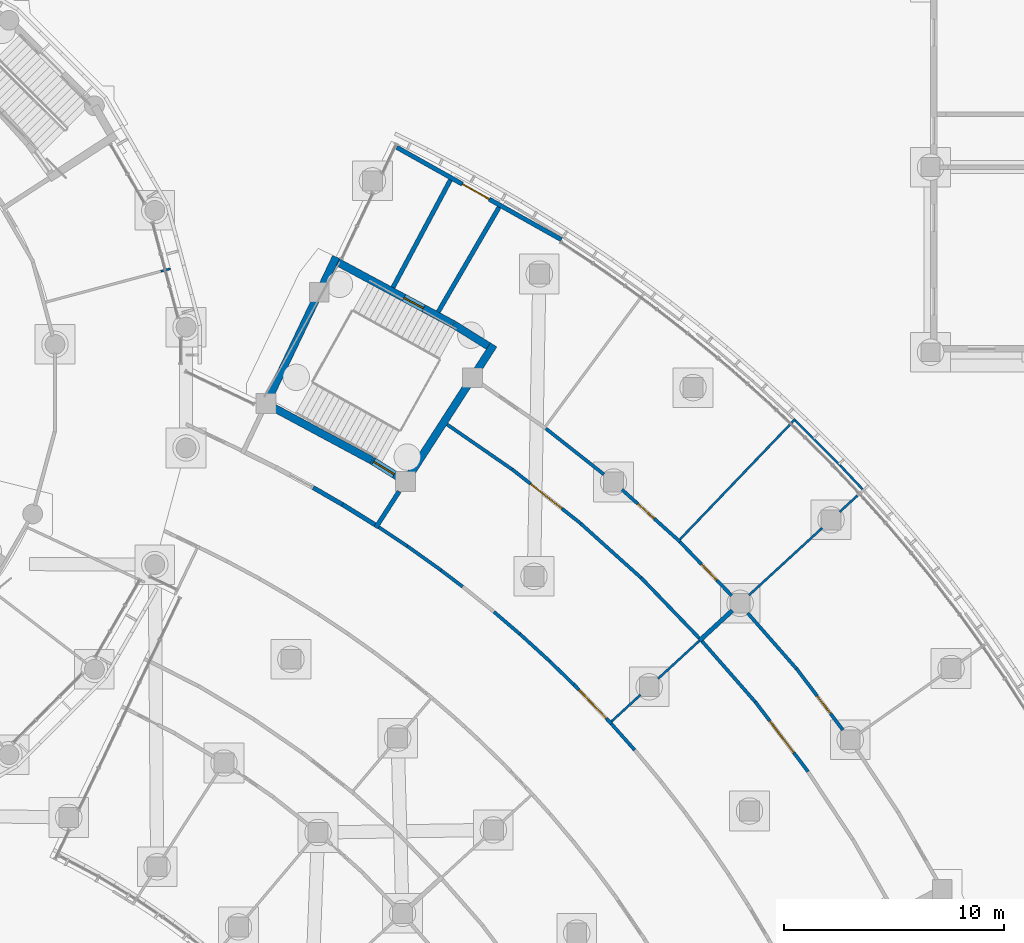
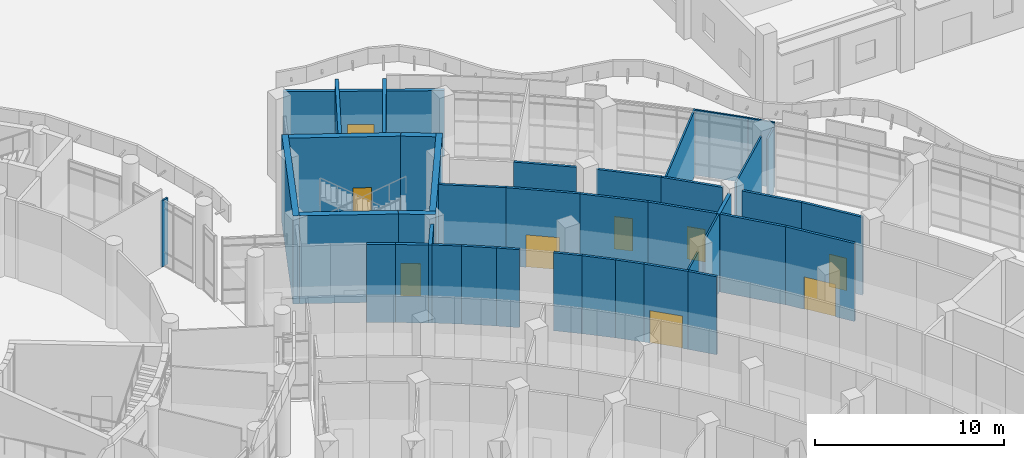
# One storey, part 79 of 146: 40 walls, 9 doors, 9 openings.
"""IFC4 building model written with IfcOpenShell, lengths in metres."""

from ifc_helpers import new_model, si_unit, direction, frame, frame_2d, origin, place, context, subcontext, project, spatial, rectangle, extrude, material, layer, layer_set, type_object, element, fill, save


model = new_model("IFC4")

# Units and contexts
model_context = context("Model", 3, precision=1e-05, world=origin(), true_north=direction((0.0, 1.0)))
body_context = subcontext(model_context, "Body", "Model", "MODEL_VIEW")
ifc_project = project(units=[si_unit("LENGTHUNIT", "METRE"), si_unit("AREAUNIT", "SQUARE_METRE"), si_unit("VOLUMEUNIT", "CUBIC_METRE"), si_unit("PLANEANGLEUNIT", "RADIAN"), si_unit("MASSUNIT", "GRAM", prefix="KILO")], contexts=[model_context])

# Site, building, storey
site_placement = place(None, origin())
site = spatial("IfcSite", under=ifc_project, at=site_placement, CompositionType="ELEMENT")
building_placement = place(site_placement, origin())
building = spatial("IfcBuilding", under=site, at=building_placement, Name="Bougainvillea Quay General Hospital", CompositionType="ELEMENT")
storey_placement = place(building_placement, origin())
storey = spatial("IfcBuildingStorey", under=building, at=storey_placement, Name="L00", CompositionType="ELEMENT", Elevation=0.0)

# Wall, opening, door
ifc_material_1 = material(Name="Insulated aluminium panel cladding, anodised silver", Category="aluminium")
ifc_layer_1 = layer(ifc_material_1, 0.199951171875)
ifc_layer_set_1 = layer_set([ifc_layer_1], Name="Insulated aluminium panel cladding, anodised silver")
wall_type_1 = type_object("IfcWallType", Name="Entrance portal wall 200", PredefinedType="STANDARD", material=ifc_layer_set_1)
wall_1_placement = place(storey_placement, frame((139.5830078125, 84.89599609375, 0.0), z_axis=(0.0, 0.0, 1.0), x_axis=(0.872117504565, -0.489296493172, 0.0)))
wall_1 = element("IfcWall", 1, at=wall_1_placement, inside=storey, type_object=wall_type_1, Name="External wall wall/V6/L00/p2g3b0/00a", PredefinedType="STANDARD", context=body_context, shape_type="SweptSolid", body=[
    extrude(rectangle(XDim=8.55712890625, YDim=0.199951171875, at=frame_2d((4.278564453125, 0.0))), origin(), (0.0, 0.0, 1.0), 4.25),
])
opening_1_placement = place(wall_1_placement, frame((3.407958984375, 0.0, 0.0)))
opening_1 = element("IfcOpeningElement", 2, at=opening_1_placement, cuts=wall_1, Name="Opening L00.349", PredefinedType="OPENING", context=body_context, shape_type="SweptSolid", body=[
    extrude(rectangle(XDim=1.39990234375, YDim=2.10009765625, at=frame_2d((0.699951171875, 1.050048828125))), frame((0.0, 0.10986328125, 0.0), z_axis=(0.0, -1.0, 0.0), x_axis=(1.0, 0.0, 0.0)), (0.0, 0.0, 1.0), 0.219970703125),
])
ifc_material_2 = material(Name="Steel door leaf, painted, with vision panel", Category="steel")
door_type_1 = type_object("IfcDoorType", Name="Stair discharge door 1400x2100", OperationType="SINGLE_SWING_LEFT", PredefinedType="DOOR", material=ifc_material_2)
door_1_placement = place(opening_1_placement, origin())
door_1 = element("IfcDoor", 3, at=door_1_placement, inside=storey, type_object=door_type_1, Name="Stair discharge door ST-E1", OperationType="SINGLE_SWING_LEFT", OverallHeight=2.10009765625, OverallWidth=1.39990234375, PredefinedType="DOOR", context=body_context, shape_type="SweptSolid", body=[
    extrude(rectangle(XDim=1.39990234375, YDim=2.10009765625, at=frame_2d((0.699951171875, 1.050048828125))), frame((0.0, 0.02490234375, 0.0), z_axis=(0.0, -1.0, 0.0), x_axis=(1.0, 0.0, 0.0)), (0.0, 0.0, 1.0), 0.050048828125),
])
fill(opening_1, door_1)

# Walls
ifc_material_3 = material(Name="Gypsum board partition on steel studs", Category="steel")
ifc_layer_2 = layer(ifc_material_3, 0.10009765625)
ifc_layer_set_2 = layer_set([ifc_layer_2], Name="Gypsum board partition on steel studs")
wall_type_2 = type_object("IfcWallType", Name="Partition 100 Gypsum board partition", PredefinedType="PARTITIONING", material=ifc_layer_set_2)
wall_2_placement = place(storey_placement, frame((128.875732421875, 79.272705078125, 0.0), z_axis=(0.0, 0.0, 1.0), x_axis=(0.966018295609, 0.258473697982, 0.0)))
element("IfcWall", 4, at=wall_2_placement, inside=storey, type_object=wall_type_2, Name="Partition 100 mm", PredefinedType="PARTITIONING", context=body_context, shape_type="SweptSolid", body=[
    extrude(rectangle(XDim=0.44970703125, YDim=0.10009765625, at=frame_2d((0.224853515625, 0.0))), origin(), (0.0, 0.0, 1.0), 4.280029296875),
])
wall_3_placement = place(storey_placement, frame((149.322998046875, 58.848388671875, 0.0), z_axis=(0.0, 0.0, 1.0), x_axis=(0.736546569723, 0.676386835051, 0.0)))
element("IfcWall", 5, at=wall_3_placement, inside=storey, type_object=wall_type_2, Name="Partition 100 mm", PredefinedType="PARTITIONING", context=body_context, shape_type="SweptSolid", body=[
    extrude(rectangle(XDim=1.78564453125, YDim=0.10009765625, at=frame_2d((0.892822265625, 0.0))), origin(), (0.0, 0.0, 1.0), 5.050048828125),
])
wall_4_placement = place(storey_placement, frame((151.4306640625, 60.783935546875, 0.0), z_axis=(0.0, 0.0, 1.0), x_axis=(0.736546419356, 0.676386998791, 0.0)))
element("IfcWall", 6, at=wall_4_placement, inside=storey, type_object=wall_type_2, Name="Partition 100 mm", PredefinedType="PARTITIONING", context=body_context, shape_type="SweptSolid", body=[
    extrude(rectangle(XDim=2.552734375, YDim=0.10009765625, at=frame_2d((1.2763671875, 0.0))), origin(), (0.0, 0.0, 1.0), 5.050048828125),
])
ifc_layer_3 = layer(ifc_material_3, 0.10009765625)
ifc_layer_set_3 = layer_set([ifc_layer_3], Name="Gypsum board partition on steel studs")
wall_type_3 = type_object("IfcWallType", Name="Partition 100 Gypsum board partition EI 30", PredefinedType="PARTITIONING", material=ifc_layer_set_3)
wall_5_placement = place(storey_placement, frame((155.55419921875, 64.572021484375, 0.0), z_axis=(0.0, 0.0, 1.0), x_axis=(0.736575972323, 0.676354815904, 0.0)))
element("IfcWall", 7, at=wall_5_placement, inside=storey, type_object=wall_type_3, Name="Partition 100 mm EI 30", PredefinedType="PARTITIONING", context=body_context, shape_type="SweptSolid", body=[
    extrude(rectangle(XDim=4.5244140625, YDim=0.10009765625, at=frame_2d((2.26220703125, 0.0))), origin(), (0.0, 0.0, 1.0), 5.050048828125),
])
wall_6_placement = place(storey_placement, frame((159.679443359375, 68.35986328125, 0.0), z_axis=(0.0, 0.0, 1.0), x_axis=(0.736534485396, 0.676399993955, 0.0)))
element("IfcWall", 8, at=wall_6_placement, inside=storey, type_object=wall_type_3, Name="Partition 100 mm EI 30", PredefinedType="PARTITIONING", context=body_context, shape_type="SweptSolid", body=[
    extrude(rectangle(XDim=1.079833984375, YDim=0.10009765625, at=frame_2d((0.5400390625, 0.0))), origin(), (0.0, 0.0, 1.0), 4.1298828125),
])
wall_7_placement = place(storey_placement, frame((152.42724609375, 67.108642578125, 0.0), z_axis=(0.0, 0.0, 1.0), x_axis=(0.691875925108, 0.722016415503, 0.0)))
element("IfcWall", 9, at=wall_7_placement, inside=storey, type_object=wall_type_3, Name="Partition 100 mm EI 30", PredefinedType="PARTITIONING", context=body_context, shape_type="SweptSolid", body=[
    extrude(rectangle(XDim=7.5654296875, YDim=0.10009765625, at=frame_2d((3.78271484375, 0.0))), origin(), (0.0, 0.0, 1.0), 4.22998046875),
])
wall_8_placement = place(storey_placement, frame((157.6630859375, 72.498779296875, 0.0), z_axis=(0.0, 0.0, 1.0), x_axis=(0.707483938248, -0.70672942285, 0.0)))
element("IfcWall", 10, at=wall_8_placement, inside=storey, type_object=wall_type_3, Name="Partition 100 mm EI 30", PredefinedType="PARTITIONING", context=body_context, shape_type="SweptSolid", body=[
    extrude(rectangle(XDim=2.912109375, YDim=0.10009765625, at=frame_2d((1.4560546875, 0.0))), origin(), (0.0, 0.0, 1.0), 4.22998046875),
])
wall_9_placement = place(storey_placement, frame((159.72119140625, 70.440673828125, 0.0), z_axis=(0.0, 0.0, 1.0), x_axis=(0.68450513179, -0.729008041487, 0.0)))
element("IfcWall", 11, at=wall_9_placement, inside=storey, type_object=wall_type_3, Name="Partition 100 mm EI 30", PredefinedType="PARTITIONING", context=body_context, shape_type="SweptSolid", body=[
    extrude(rectangle(XDim=1.453857421875, YDim=0.10009765625, at=frame_2d((0.72705078125, 0.0))), origin(), (0.0, 0.0, 1.0), 4.22998046875),
])

# Wall, opening, door
ifc_material_4 = material(Name="Gypsum board partition on steel studs, insulated", Category="steel")
ifc_layer_4 = layer(ifc_material_4, 0.14990234375)
ifc_layer_set_4 = layer_set([ifc_layer_4], Name="Gypsum board partition on steel studs, insulated")
wall_type_4 = type_object("IfcWallType", Name="Partition 150 Gypsum board partition EI 30", PredefinedType="PARTITIONING", material=ifc_layer_set_4)
wall_10_placement = place(storey_placement, frame((149.79736328125, 69.36865234375, 0.0), z_axis=(0.0, 0.0, 1.0), x_axis=(0.743767308426, -0.668438621652, 0.0)))
wall_10 = element("IfcWall", 12, at=wall_10_placement, inside=storey, type_object=wall_type_4, Name="Partition 150 mm EI 30", PredefinedType="PARTITIONING", context=body_context, shape_type="SweptSolid", body=[
    extrude(rectangle(XDim=3.5390625, YDim=0.14990234375, at=frame_2d((1.76953125, 0.0))), origin(), (0.0, 0.0, 1.0), 5.050048828125),
])
opening_2_placement = place(wall_10_placement, frame((0.973876953125, 0.0, 0.0)))
opening_2 = element("IfcOpeningElement", 13, at=opening_2_placement, cuts=wall_10, Name="Opening L00.271", PredefinedType="OPENING", context=body_context, shape_type="SweptSolid", body=[
    extrude(rectangle(XDim=1.0, YDim=2.10009765625, at=frame_2d((0.5, 1.050048828125))), frame((0.0, 0.0849609375, 0.0), z_axis=(0.0, -1.0, 0.0), x_axis=(1.0, 0.0, 0.0)), (0.0, 0.0, 1.0), 0.169921875),
])
ifc_material_5 = material(Name="Solid-core timber door leaf in steel frame", Category="steel")
door_type_2 = type_object("IfcDoorType", Name="Single leaf door 1000x2100 FD30S", OperationType="NOTDEFINED", PredefinedType="DOOR", material=ifc_material_5)
door_2_placement = place(opening_2_placement, origin())
door_2 = element("IfcDoor", 14, at=door_2_placement, inside=storey, type_object=door_type_2, Name="DT15 L00.271", OperationType="SINGLE_SWING_LEFT", OverallHeight=2.10009765625, OverallWidth=1.0, PredefinedType="DOOR", context=body_context, shape_type="SweptSolid", body=[
    extrude(rectangle(XDim=1.0, YDim=2.10009765625, at=frame_2d((0.5, 1.050048828125))), frame((0.0, 0.02490234375, 0.0), z_axis=(0.0, -1.0, 0.0), x_axis=(1.0, 0.0, 0.0)), (0.0, 0.0, 1.0), 0.050048828125),
])
fill(opening_2, door_2)

wall_11_placement = place(storey_placement, frame((157.7119140625, 61.251708984375, 0.0), z_axis=(0.0, 0.0, 1.0), x_axis=(0.602876520925, -0.797834506974, 0.0)))
wall_11 = element("IfcWall", 15, at=wall_11_placement, inside=storey, type_object=wall_type_4, Name="Partition 150 mm EI 30", PredefinedType="PARTITIONING", context=body_context, shape_type="SweptSolid", body=[
    extrude(rectangle(XDim=3.498779296875, YDim=0.14990234375, at=frame_2d((1.74951171875, 0.0))), origin(), (0.0, 0.0, 1.0), 5.050048828125),
])
opening_3_placement = place(wall_11_placement, frame((1.5654296875, 0.0, 0.0)))
opening_3 = element("IfcOpeningElement", 16, at=opening_3_placement, cuts=wall_11, Name="Opening L00.273", PredefinedType="OPENING", context=body_context, shape_type="SweptSolid", body=[
    extrude(rectangle(XDim=1.0, YDim=2.10009765625, at=frame_2d((0.5, 1.050048828125))), frame((0.0, 0.0849609375, 0.0), z_axis=(0.0, -1.0, 0.0), x_axis=(1.0, 0.0, 0.0)), (0.0, 0.0, 1.0), 0.169921875),
])
door_3_placement = place(opening_3_placement, origin())
door_3 = element("IfcDoor", 17, at=door_3_placement, inside=storey, type_object=door_type_2, Name="DT15 L00.273", OperationType="SINGLE_SWING_RIGHT", OverallHeight=2.10009765625, OverallWidth=1.0, PredefinedType="DOOR", context=body_context, shape_type="SweptSolid", body=[
    extrude(rectangle(XDim=1.0, YDim=2.10009765625, at=frame_2d((0.5, 1.050048828125))), frame((0.0, 0.02490234375, 0.0), z_axis=(0.0, -1.0, 0.0), x_axis=(1.0, 0.0, 0.0)), (0.0, 0.0, 1.0), 0.050048828125),
])
fill(opening_3, door_3)

# Walls
wall_12_placement = place(storey_placement, frame((146.34423828125, 72.13720703125, 0.0), z_axis=(0.0, 0.0, 1.0), x_axis=(0.784832511111, -0.619707938874, 0.0)))
element("IfcWall", 18, at=wall_12_placement, inside=storey, type_object=wall_type_4, Name="Partition 150 mm EI 30", PredefinedType="PARTITIONING", context=body_context, shape_type="SweptSolid", body=[
    extrude(rectangle(XDim=3.357666015625, YDim=0.14990234375, at=frame_2d((1.6787109375, 0.0))), origin(), (0.0, 0.0, 1.0), 5.050048828125),
])
wall_13_placement = place(storey_placement, frame((155.503662109375, 63.76220703125, 0.0), z_axis=(0.0, 0.0, 1.0), x_axis=(0.659211514152, -0.751957565032, 0.0)))
element("IfcWall", 19, at=wall_13_placement, inside=storey, type_object=wall_type_4, Name="Partition 150 mm EI 30", PredefinedType="PARTITIONING", context=body_context, shape_type="SweptSolid", body=[
    extrude(rectangle(XDim=3.348388671875, YDim=0.14990234375, at=frame_2d((1.67431640625, 0.0))), origin(), (0.0, 0.0, 1.0), 5.050048828125),
])

# Wall, opening, door
wall_14_placement = place(storey_placement, frame((152.42236328125, 67.002685546875, 0.0), z_axis=(0.0, 0.0, 1.0), x_axis=(0.693269716966, -0.720678221912, 0.0)))
wall_14 = element("IfcWall", 20, at=wall_14_placement, inside=storey, type_object=wall_type_4, Name="Partition 150 mm EI 30", PredefinedType="PARTITIONING", context=body_context, shape_type="SweptSolid", body=[
    extrude(rectangle(XDim=3.393798828125, YDim=0.14990234375, at=frame_2d((1.69677734375, 0.0))), origin(), (0.0, 0.0, 1.0), 5.050048828125),
])
opening_4_placement = place(wall_14_placement, frame((1.419921875, 0.0, 0.0)))
opening_4 = element("IfcOpeningElement", 21, at=opening_4_placement, cuts=wall_14, Name="Opening L00.272", PredefinedType="OPENING", context=body_context, shape_type="SweptSolid", body=[
    extrude(rectangle(XDim=1.0, YDim=2.10009765625, at=frame_2d((0.5, 1.050048828125))), frame((0.0, 0.0849609375, 0.0), z_axis=(0.0, -1.0, 0.0), x_axis=(1.0, 0.0, 0.0)), (0.0, 0.0, 1.0), 0.169921875),
])
door_4_placement = place(opening_4_placement, origin())
door_4 = element("IfcDoor", 22, at=door_4_placement, inside=storey, type_object=door_type_2, Name="DT15 L00.272", OperationType="SINGLE_SWING_RIGHT", OverallHeight=2.10009765625, OverallWidth=1.0, PredefinedType="DOOR", context=body_context, shape_type="SweptSolid", body=[
    extrude(rectangle(XDim=1.0, YDim=2.10009765625, at=frame_2d((0.5, 1.050048828125))), frame((0.0, 0.02490234375, 0.0), z_axis=(0.0, -1.0, 0.0), x_axis=(1.0, 0.0, 0.0)), (0.0, 0.0, 1.0), 0.050048828125),
])
fill(opening_4, door_4)

wall_15_placement = place(storey_placement, frame((144.802978515625, 70.297607421875, 0.0), z_axis=(0.0, 0.0, 1.0), x_axis=(0.784917321289, -0.619600515445, 0.0)))
wall_15 = element("IfcWall", 23, at=wall_15_placement, inside=storey, type_object=wall_type_4, Name="Partition 150 mm EI 30", PredefinedType="PARTITIONING", context=body_context, shape_type="SweptSolid", body=[
    extrude(rectangle(XDim=3.978515625, YDim=0.14990234375, at=frame_2d((1.9892578125, 0.0))), origin(), (0.0, 0.0, 1.0), 5.050048828125),
])
opening_5_placement = place(wall_15_placement, frame((1.089111328125, 0.0, 0.0)))
opening_5 = element("IfcOpeningElement", 24, at=opening_5_placement, cuts=wall_15, Name="Opening L00.223", PredefinedType="OPENING", context=body_context, shape_type="SweptSolid", body=[
    extrude(rectangle(XDim=1.800048828125, YDim=2.10009765625, at=frame_2d((0.89990234375, 1.050048828125))), frame((0.0, 0.0849609375, 0.0), z_axis=(0.0, -1.0, 0.0), x_axis=(1.0, 0.0, 0.0)), (0.0, 0.0, 1.0), 0.169921875),
])
ifc_material_6 = material(Name="Solid-core timber door leaves in steel frame", Category="steel")
door_type_3 = type_object("IfcDoorType", Name="Double leaf door 1800x2100", OperationType="DOUBLE_DOOR_SINGLE_SWING", PredefinedType="DOOR", material=ifc_material_6)
door_5_placement = place(opening_5_placement, origin())
door_5 = element("IfcDoor", 25, at=door_5_placement, inside=storey, type_object=door_type_3, Name="DT08 L00.223", OperationType="DOUBLE_DOOR_SINGLE_SWING", OverallHeight=2.10009765625, OverallWidth=1.800048828125, PredefinedType="DOOR", context=body_context, shape_type="SweptSolid", body=[
    extrude(rectangle(XDim=1.800048828125, YDim=2.10009765625, at=frame_2d((0.89990234375, 1.050048828125))), frame((0.0, 0.02490234375, 0.0), z_axis=(0.0, -1.0, 0.0), x_axis=(1.0, 0.0, 0.0)), (0.0, 0.0, 1.0), 0.050048828125),
])
fill(opening_5, door_5)

wall_16_placement = place(storey_placement, frame((155.84375, 59.743896484375, 0.0), z_axis=(0.0, 0.0, 1.0), x_axis=(0.602932061418, -0.797792535258, 0.0)))
wall_16 = element("IfcWall", 26, at=wall_16_placement, inside=storey, type_object=wall_type_4, Name="Partition 150 mm EI 30", PredefinedType="PARTITIONING", context=body_context, shape_type="SweptSolid", body=[
    extrude(rectangle(XDim=3.97802734375, YDim=0.14990234375, at=frame_2d((1.989013671875, 0.0))), origin(), (0.0, 0.0, 1.0), 5.050048828125),
])
opening_6_placement = place(wall_16_placement, frame((1.089111328125, 0.0, 0.0)))
opening_6 = element("IfcOpeningElement", 27, at=opening_6_placement, cuts=wall_16, Name="Opening L00.224", PredefinedType="OPENING", context=body_context, shape_type="SweptSolid", body=[
    extrude(rectangle(XDim=1.800048828125, YDim=2.10009765625, at=frame_2d((0.89990234375, 1.050048828125))), frame((0.0, 0.0849609375, 0.0), z_axis=(0.0, -1.0, 0.0), x_axis=(1.0, 0.0, 0.0)), (0.0, 0.0, 1.0), 0.169921875),
])
door_6_placement = place(opening_6_placement, origin())
door_6 = element("IfcDoor", 28, at=door_6_placement, inside=storey, type_object=door_type_3, Name="DT08 L00.224", OperationType="DOUBLE_DOOR_SINGLE_SWING", OverallHeight=2.10009765625, OverallWidth=1.800048828125, PredefinedType="DOOR", context=body_context, shape_type="SweptSolid", body=[
    extrude(rectangle(XDim=1.800048828125, YDim=2.10009765625, at=frame_2d((0.89990234375, 1.050048828125))), frame((0.0, 0.02490234375, 0.0), z_axis=(0.0, -1.0, 0.0), x_axis=(1.0, 0.0, 0.0)), (0.0, 0.0, 1.0), 0.050048828125),
])
fill(opening_6, door_6)

# Walls
wall_17_placement = place(storey_placement, frame((141.85888671875, 72.326171875, 0.0), z_axis=(0.0, 0.0, 1.0), x_axis=(0.822680463987, -0.568504049391, 0.0)))
element("IfcWall", 29, at=wall_17_placement, inside=storey, type_object=wall_type_4, Name="Partition 150 mm EI 30", PredefinedType="PARTITIONING", context=body_context, shape_type="SweptSolid", body=[
    extrude(rectangle(XDim=3.579833984375, YDim=0.14990234375, at=frame_2d((1.7900390625, 0.0))), origin(), (0.0, 0.0, 1.0), 5.050048828125),
])
wall_18_placement = place(storey_placement, frame((150.660888671875, 65.3740234375, 0.0), z_axis=(0.0, 0.0, 1.0), x_axis=(0.693403633232, -0.720549374728, 0.0)))
element("IfcWall", 30, at=wall_18_placement, inside=storey, type_object=wall_type_4, Name="Partition 150 mm EI 30", PredefinedType="PARTITIONING", context=body_context, shape_type="SweptSolid", body=[
    extrude(rectangle(XDim=3.804443359375, YDim=0.14990234375, at=frame_2d((1.90234375, 0.0))), origin(), (0.0, 0.0, 1.0), 5.050048828125),
])
wall_19_placement = place(storey_placement, frame((147.91943359375, 67.831787109375, 0.0), z_axis=(0.0, 0.0, 1.0), x_axis=(0.743593711798, -0.668631731056, 0.0)))
element("IfcWall", 31, at=wall_19_placement, inside=storey, type_object=wall_type_4, Name="Partition 150 mm EI 30", PredefinedType="PARTITIONING", context=body_context, shape_type="SweptSolid", body=[
    extrude(rectangle(XDim=3.686767578125, YDim=0.14990234375, at=frame_2d((1.84326171875, 0.0))), origin(), (0.0, 0.0, 1.0), 5.050048828125),
])
wall_20_placement = place(storey_placement, frame((153.431884765625, 62.488037109375, 0.0), z_axis=(0.0, 0.0, 1.0), x_axis=(0.659061919253, -0.752088682663, 0.0)))
element("IfcWall", 32, at=wall_20_placement, inside=storey, type_object=wall_type_4, Name="Partition 150 mm EI 30", PredefinedType="PARTITIONING", context=body_context, shape_type="SweptSolid", body=[
    extrude(rectangle(XDim=3.658447265625, YDim=0.14990234375, at=frame_2d((1.8291015625, 0.0))), origin(), (0.0, 0.0, 1.0), 5.050048828125),
])

# Wall, opening, door
wall_21_placement = place(storey_placement, frame((147.614990234375, 60.521240234375, 0.0), z_axis=(0.0, 0.0, 1.0), x_axis=(0.691827849504, -0.722062481127, 0.0)))
wall_21 = element("IfcWall", 33, at=wall_21_placement, inside=storey, type_object=wall_type_4, Name="Partition 150 mm EI 30", PredefinedType="PARTITIONING", context=body_context, shape_type="SweptSolid", body=[
    extrude(rectangle(XDim=2.462890625, YDim=0.14990234375, at=frame_2d((1.2314453125, 0.0))), origin(), (0.0, 0.0, 1.0), 5.050048828125),
])
opening_7_placement = place(wall_21_placement, frame((0.331298828125, 0.0, 0.0)))
opening_7 = element("IfcOpeningElement", 34, at=opening_7_placement, cuts=wall_21, Name="Opening L00.237", PredefinedType="OPENING", context=body_context, shape_type="SweptSolid", body=[
    extrude(rectangle(XDim=1.800048828125, YDim=2.10009765625, at=frame_2d((0.89990234375, 1.050048828125))), frame((0.0, 0.0849609375, 0.0), z_axis=(0.0, -1.0, 0.0), x_axis=(1.0, 0.0, 0.0)), (0.0, 0.0, 1.0), 0.169921875),
])
door_7_placement = place(opening_7_placement, frame((1.800048828125, 0.0, 0.0), z_axis=(0.0, 0.0, 1.0), x_axis=(-1.0, 0.0, 0.0)))
door_7 = element("IfcDoor", 35, at=door_7_placement, inside=storey, type_object=door_type_3, Name="DT08 L00.237", OperationType="DOUBLE_DOOR_SINGLE_SWING", OverallHeight=2.10009765625, OverallWidth=1.800048828125, PredefinedType="DOOR", context=body_context, shape_type="SweptSolid", body=[
    extrude(rectangle(XDim=1.800048828125, YDim=2.10009765625, at=frame_2d((0.89990234375, 1.050048828125))), frame((0.0, 0.02490234375, 0.0), z_axis=(0.0, -1.0, 0.0), x_axis=(1.0, 0.0, 0.0)), (0.0, 0.0, 1.0), 0.050048828125),
])
fill(opening_7, door_7)

# Walls
wall_22_placement = place(storey_placement, frame((140.06103515625, 66.800537109375, 0.0), z_axis=(0.0, 0.0, 1.0), x_axis=(0.81360220793, -0.581421918448, 0.0)))
element("IfcWall", 36, at=wall_22_placement, inside=storey, type_object=wall_type_4, Name="Partition 150 mm EI 30", PredefinedType="PARTITIONING", context=body_context, shape_type="SweptSolid", body=[
    extrude(rectangle(XDim=1.88525390625, YDim=0.14990234375, at=frame_2d((0.942626953125, 0.0))), origin(), (0.0, 0.0, 1.0), 5.050048828125),
])
wall_23_placement = place(storey_placement, frame((149.31494140625, 58.742919921875, 0.0), z_axis=(0.0, 0.0, 1.0), x_axis=(0.664440066627, -0.747341553683, 0.0)))
element("IfcWall", 37, at=wall_23_placement, inside=storey, type_object=wall_type_4, Name="Partition 150 mm EI 30", PredefinedType="PARTITIONING", context=body_context, shape_type="SweptSolid", body=[
    extrude(rectangle(XDim=1.59033203125, YDim=0.14990234375, at=frame_2d((0.795166015625, 0.0))), origin(), (0.0, 0.0, 1.0), 5.050048828125),
])
wall_24_placement = place(storey_placement, frame((138.76416015625, 67.6640625, 0.0), z_axis=(0.0, 0.0, 1.0), x_axis=(0.831520299658, -0.555494366539, 0.0)))
element("IfcWall", 38, at=wall_24_placement, inside=storey, type_object=wall_type_4, Name="Partition 150 mm EI 30", PredefinedType="PARTITIONING", context=body_context, shape_type="SweptSolid", body=[
    extrude(rectangle(XDim=1.560302734375, YDim=0.14990234375, at=frame_2d((0.7802734375, 0.0))), origin(), (0.0, 0.0, 1.0), 5.050048828125),
])
wall_25_placement = place(storey_placement, frame((145.15869140625, 62.822509765625, 0.0), z_axis=(0.0, 0.0, 1.0), x_axis=(0.738981194843, -0.67372605239, 0.0)))
element("IfcWall", 39, at=wall_25_placement, inside=storey, type_object=wall_type_4, Name="Partition 150 mm EI 30", PredefinedType="PARTITIONING", context=body_context, shape_type="SweptSolid", body=[
    extrude(rectangle(XDim=1.833251953125, YDim=0.14990234375, at=frame_2d((0.91650390625, 0.0))), origin(), (0.0, 0.0, 1.0), 5.050048828125),
])
wall_26_placement = place(storey_placement, frame((146.51025390625, 61.58740234375, 0.0), z_axis=(0.0, 0.0, 1.0), x_axis=(0.718287322607, -0.695746593367, 0.0)))
element("IfcWall", 40, at=wall_26_placement, inside=storey, type_object=wall_type_4, Name="Partition 150 mm EI 30", PredefinedType="PARTITIONING", context=body_context, shape_type="SweptSolid", body=[
    extrude(rectangle(XDim=1.5380859375, YDim=0.14990234375, at=frame_2d((0.76904296875, 0.0))), origin(), (0.0, 0.0, 1.0), 5.050048828125),
])
wall_27_placement = place(storey_placement, frame((143.9912109375, 63.818603515625, 0.0), z_axis=(0.0, 0.0, 1.0), x_axis=(0.75971620126, -0.65025479125, 0.0)))
element("IfcWall", 41, at=wall_27_placement, inside=storey, type_object=wall_type_4, Name="Partition 150 mm EI 30", PredefinedType="PARTITIONING", context=body_context, shape_type="SweptSolid", body=[
    extrude(rectangle(XDim=1.53662109375, YDim=0.14990234375, at=frame_2d((0.768310546875, 0.0))), origin(), (0.0, 0.0, 1.0), 5.050048828125),
])
wall_28_placement = place(storey_placement, frame((141.592041015625, 65.703857421875, 0.0), z_axis=(0.0, 0.0, 1.0), x_axis=(0.79670453549, -0.604368995837, 0.0)))
element("IfcWall", 42, at=wall_28_placement, inside=storey, type_object=wall_type_4, Name="Partition 150 mm EI 30", PredefinedType="PARTITIONING", context=body_context, shape_type="SweptSolid", body=[
    extrude(rectangle(XDim=1.222412109375, YDim=0.14990234375, at=frame_2d((0.611328125, 0.0))), origin(), (0.0, 0.0, 1.0), 5.050048828125),
])
ifc_material_7 = material(Name="Fire-rated autoclaved aerated block wall, plastered")
ifc_layer_5 = layer(ifc_material_7, 0.199951171875)
ifc_layer_set_5 = layer_set([ifc_layer_5], Name="Fire-rated autoclaved aerated block wall, plastered")
wall_type_5 = type_object("IfcWallType", Name="Partition 200 Fire-rated autoclaved aerated block wall EI 120", PredefinedType="SOLIDWALL", material=ifc_layer_set_5)
wall_29_placement = place(storey_placement, frame((141.462646484375, 77.43798828125, 0.0), z_axis=(0.0, 0.0, 1.0), x_axis=(0.502946190311, 0.864317724944, 0.0)))
element("IfcWall", 43, at=wall_29_placement, inside=storey, type_object=wall_type_5, Name="Partition 200 mm EI 120", PredefinedType="SOLIDWALL", context=body_context, shape_type="SweptSolid", body=[
    extrude(rectangle(XDim=5.48388671875, YDim=0.199951171875, at=frame_2d((2.741943359375, 0.0))), origin(), (0.0, 0.0, 1.0), 5.050048828125),
])
wall_30_placement = place(storey_placement, frame((138.624755859375, 67.636962890625, 0.0), z_axis=(0.0, 0.0, 1.0), x_axis=(0.541789312023, 0.840514331453, 0.0)))
element("IfcWall", 44, at=wall_30_placement, inside=storey, type_object=wall_type_5, Name="Partition 200 mm EI 120", PredefinedType="SOLIDWALL", context=body_context, shape_type="SweptSolid", body=[
    extrude(rectangle(XDim=1.960693359375, YDim=0.199951171875, at=frame_2d((0.98046875, 0.0))), origin(), (0.0, 0.0, 1.0), 5.050048828125),
])
wall_31_placement = place(storey_placement, frame((153.311767578125, 62.51123046875, 0.0), z_axis=(0.0, 0.0, 1.0), x_axis=(0.736286893473, 0.676669498722, 0.0)))
element("IfcWall", 45, at=wall_31_placement, inside=storey, type_object=wall_type_5, Name="Partition 200 mm EI 120", PredefinedType="SOLIDWALL", context=body_context, shape_type="SweptSolid", body=[
    extrude(rectangle(XDim=2.02294921875, YDim=0.199951171875, at=frame_2d((1.011474609375, 0.0))), origin(), (0.0, 0.0, 1.0), 5.050048828125),
])
wall_32_placement = place(storey_placement, frame((137.1201171875, 68.69091796875, 0.0), z_axis=(0.0, 0.0, 1.0), x_axis=(0.849072037542, -0.528277081714, 0.0)))
element("IfcWall", 46, at=wall_32_placement, inside=storey, type_object=wall_type_5, Name="Partition 200 mm EI 120", PredefinedType="SOLIDWALL", context=body_context, shape_type="SweptSolid", body=[
    extrude(rectangle(XDim=1.734375, YDim=0.199951171875, at=frame_2d((0.8671875, 0.0))), origin(), (0.0, 0.0, 1.0), 5.050048828125),
])
wall_33_placement = place(storey_placement, frame((135.786865234375, 69.45849609375, 0.0), z_axis=(0.0, 0.0, 1.0), x_axis=(0.865559992514, -0.50080525093, 0.0)))
element("IfcWall", 47, at=wall_33_placement, inside=storey, type_object=wall_type_5, Name="Partition 200 mm EI 120", PredefinedType="SOLIDWALL", context=body_context, shape_type="SweptSolid", body=[
    extrude(rectangle(XDim=1.54150390625, YDim=0.199951171875, at=frame_2d((0.770751953125, 0.0))), origin(), (0.0, 0.0, 1.0), 5.050048828125),
])
ifc_layer_6 = layer(ifc_material_7, 0.199951171875)
ifc_layer_set_6 = layer_set([ifc_layer_6], Name="Fire-rated autoclaved aerated block wall, plastered")
wall_type_6 = type_object("IfcWallType", Name="Partition 200 Fire-rated autoclaved aerated block wall EI 30", PredefinedType="SOLIDWALL", material=ifc_layer_set_6)
wall_34_placement = place(storey_placement, frame((139.40673828125, 78.53857421875, 0.0), z_axis=(0.0, 0.0, 1.0), x_axis=(0.471243461958, 0.882003174349, 0.0)))
element("IfcWall", 48, at=wall_34_placement, inside=storey, type_object=wall_type_6, Name="Partition 200 mm EI 30", PredefinedType="SOLIDWALL", context=body_context, shape_type="SweptSolid", body=[
    extrude(rectangle(XDim=5.530029296875, YDim=0.199951171875, at=frame_2d((2.76513671875, 0.0))), origin(), (0.0, 0.0, 1.0), 5.050048828125),
])
ifc_material_8 = material(Name="Concrete C40", Category="concrete")
ifc_layer_7 = layer(ifc_material_8, 0.35009765625)
ifc_layer_set_7 = layer_set([ifc_layer_7], Name="Concrete C40")
wall_type_7 = type_object("IfcWallType", Name="RC SHEAR WALL 350 C40", PredefinedType="SHEAR", material=ifc_layer_set_7)
wall_35_placement = place(storey_placement, frame((133.57763671875, 73.109130859375, -0.300048828125), z_axis=(0.0, 0.0, 1.0), x_axis=(0.430592498036, 0.90254645345, 0.0)))
element("IfcWall", 49, at=wall_35_placement, inside=storey, type_object=wall_type_7, Name="Shear wall L00", PredefinedType="SHEAR", context=body_context, shape_type="SweptSolid", body=[
    extrude(rectangle(XDim=7.549560546875, YDim=0.35009765625, at=frame_2d((3.77490234375, 0.0))), origin(), (0.0, 0.0, 1.0), 5.699951171875),
])
wall_36_placement = place(storey_placement, frame((138.43603515625, 70.69775390625, -0.300048828125), z_axis=(0.0, 0.0, 1.0), x_axis=(-0.880959996263, 0.473190749048, 0.0)))
element("IfcWall", 50, at=wall_36_placement, inside=storey, type_object=wall_type_7, Name="Shear wall L00", PredefinedType="SHEAR", context=body_context, shape_type="SweptSolid", body=[
    extrude(rectangle(XDim=5.25439453125, YDim=0.35009765625, at=frame_2d((2.627197265625, 0.0))), origin(), (0.0, 0.0, 1.0), 5.699951171875),
])

# Wall, opening, door
wall_37_placement = place(storey_placement, frame((138.44580078125, 70.692138671875, -0.300048828125), z_axis=(0.0, 0.0, 1.0), x_axis=(0.849028347245, -0.528347296363, 0.0)))
wall_37 = element("IfcWall", 51, at=wall_37_placement, inside=storey, type_object=wall_type_7, Name="Shear wall L00", PredefinedType="SHEAR", context=body_context, shape_type="SweptSolid", body=[
    extrude(rectangle(XDim=1.98095703125, YDim=0.35009765625, at=frame_2d((0.990478515625, 0.0))), origin(), (0.0, 0.0, 1.0), 5.699951171875),
])
opening_8_placement = place(wall_37_placement, frame((0.10009765625, 0.0, 0.300048828125)))
opening_8 = element("IfcOpeningElement", 52, at=opening_8_placement, cuts=wall_37, Name="Opening L00.304", PredefinedType="OPENING", context=body_context, shape_type="SweptSolid", body=[
    extrude(rectangle(XDim=1.10009765625, YDim=2.10009765625, at=frame_2d((0.550048828125, 1.050048828125))), frame((0.0, 0.18505859375, 0.0), z_axis=(0.0, -1.0, 0.0), x_axis=(1.0, 0.0, 0.0)), (0.0, 0.0, 1.0), 0.3701171875),
])
ifc_material_9 = material(Name="Steel fire door leaf in steel frame", Category="steel")
door_type_4 = type_object("IfcDoorType", Name="Steel single leaf door 1100x2100 FD60", OperationType="NOTDEFINED", PredefinedType="DOOR", material=ifc_material_9)
door_8_placement = place(opening_8_placement, origin())
door_8 = element("IfcDoor", 53, at=door_8_placement, inside=storey, type_object=door_type_4, Name="DT04 L00.304", OperationType="SINGLE_SWING_LEFT", OverallHeight=2.10009765625, OverallWidth=1.10009765625, PredefinedType="DOOR", context=body_context, shape_type="SweptSolid", body=[
    extrude(rectangle(XDim=1.10009765625, YDim=2.10009765625, at=frame_2d((0.550048828125, 1.050048828125))), frame((0.0, 0.02490234375, 0.0), z_axis=(0.0, -1.0, 0.0), x_axis=(1.0, 0.0, 0.0)), (0.0, 0.0, 1.0), 0.050048828125),
])
fill(opening_8, door_8)

# Wall
wall_38_placement = place(storey_placement, frame((140.07373046875, 69.885009765625, -0.300048828125), z_axis=(0.0, 0.0, 1.0), x_axis=(0.541951537975, 0.840409739643, 0.0)))
element("IfcWall", 54, at=wall_38_placement, inside=storey, type_object=wall_type_7, Name="Shear wall L00", PredefinedType="SHEAR", context=body_context, shape_type="SweptSolid", body=[
    extrude(rectangle(XDim=7.2001953125, YDim=0.35009765625, at=frame_2d((3.60009765625, 0.0))), origin(), (0.0, 0.0, 1.0), 5.699951171875),
])

# Wall, opening, door
wall_39_placement = place(storey_placement, frame((142.14208984375, 76.87060546875, -0.300048828125), z_axis=(0.0, 0.0, 1.0), x_axis=(-0.880979840223, 0.473153802817, 0.0)))
wall_39 = element("IfcWall", 55, at=wall_39_placement, inside=storey, type_object=wall_type_7, Name="Shear wall L00", PredefinedType="SHEAR", context=body_context, shape_type="SweptSolid", body=[
    extrude(rectangle(XDim=5.942138671875, YDim=0.35009765625, at=frame_2d((2.97119140625, 0.0))), origin(), (0.0, 0.0, 1.0), 5.699951171875),
])
opening_9_placement = place(wall_39_placement, frame((1.53466796875, 0.0, 0.300048828125)))
opening_9 = element("IfcOpeningElement", 56, at=opening_9_placement, cuts=wall_39, Name="Opening L00.245", PredefinedType="OPENING", context=body_context, shape_type="SweptSolid", body=[
    extrude(rectangle(XDim=1.0, YDim=2.10009765625, at=frame_2d((0.5, 1.050048828125))), frame((0.0, 0.18505859375, 0.0), z_axis=(0.0, -1.0, 0.0), x_axis=(1.0, 0.0, 0.0)), (0.0, 0.0, 1.0), 0.3701171875),
])
door_type_5 = type_object("IfcDoorType", Name="Steel single leaf door 1000x2100 FD60", OperationType="NOTDEFINED", PredefinedType="DOOR", material=ifc_material_9)
door_9_placement = place(opening_9_placement, frame((1.0, 0.0, 0.0), z_axis=(0.0, 0.0, 1.0), x_axis=(-1.0, 0.0, 0.0)))
door_9 = element("IfcDoor", 57, at=door_9_placement, inside=storey, type_object=door_type_5, Name="DT10 L00.245", OperationType="SINGLE_SWING_RIGHT", OverallHeight=2.10009765625, OverallWidth=1.0, PredefinedType="DOOR", context=body_context, shape_type="SweptSolid", body=[
    extrude(rectangle(XDim=1.0, YDim=2.10009765625, at=frame_2d((0.5, 1.050048828125))), frame((0.0, 0.02490234375, 0.0), z_axis=(0.0, -1.0, 0.0), x_axis=(1.0, 0.0, 0.0)), (0.0, 0.0, 1.0), 0.050048828125),
])
fill(opening_9, door_9)

# Wall
wall_40_placement = place(storey_placement, frame((142.15185546875, 76.864990234375, -0.300048828125), z_axis=(0.0, 0.0, 1.0), x_axis=(0.849013462734, -0.528371214296, 0.0)))
element("IfcWall", 58, at=wall_40_placement, inside=storey, type_object=wall_type_7, Name="Shear wall L00", PredefinedType="SHEAR", context=body_context, shape_type="SweptSolid", body=[
    extrude(rectangle(XDim=1.861572265625, YDim=0.35009765625, at=frame_2d((0.9306640625, 0.0))), origin(), (0.0, 0.0, 1.0), 5.699951171875),
])

save(model, "model.ifc")
